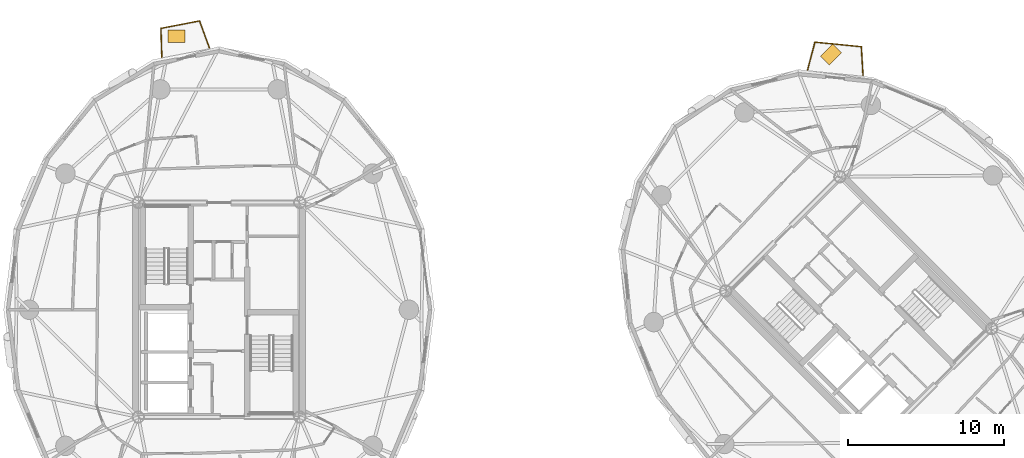
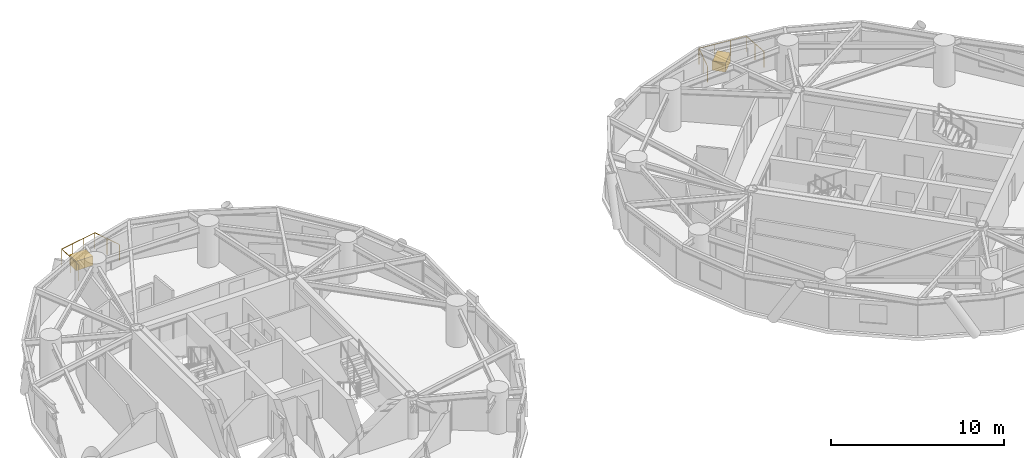
# One storey, part 16 of 16: 2 coverings, 2 railings.
"""IFC4 building model written with IfcOpenShell, lengths in metres."""

from ifc_helpers import new_model, si_unit, direction, frame, origin, origin_2d, place, context, subcontext, project, spatial, rectangle, circle, extrude, source, transform, mapped, material, layer, layer_set, type_object, element, save


model = new_model("IFC4")

# Units and contexts
model_context = context("Model", 3, precision=1e-05, world=origin(), true_north=direction((0.0, 1.0)))
body_context = subcontext(model_context, "Body", "Model", "MODEL_VIEW")
ifc_project = project(units=[si_unit("LENGTHUNIT", "METRE"), si_unit("AREAUNIT", "SQUARE_METRE"), si_unit("VOLUMEUNIT", "CUBIC_METRE"), si_unit("PLANEANGLEUNIT", "RADIAN"), si_unit("MASSUNIT", "GRAM", prefix="KILO")], contexts=[model_context])

# Site, building, storey
site_placement = place(None, origin())
site = spatial("IfcSite", under=ifc_project, at=site_placement, CompositionType="ELEMENT")
building_placement = place(site_placement, origin())
building = spatial("IfcBuilding", under=site, at=building_placement, Name="Cununo Teusaquillo Station Towers", CompositionType="ELEMENT")
storey_placement = place(building_placement, frame((0.0, 0.0, 180.699951171875)))
storey = spatial("IfcBuildingStorey", under=building, at=storey_placement, Name="L57", CompositionType="ELEMENT", Elevation=180.699951171875)

# Railings
ifc_material_1 = material(Name="Anodised dark bronze aluminium EN AW-6063-T6", Category="aluminium")
railing_type = type_object("IfcRailingType", Name="RL-EXT-GUARD", PredefinedType="GUARDRAIL", material=ifc_material_1)
railing_1_placement = place(storey_placement, frame((12.831298828125, 40.6875, 0.0)))
element("IfcRailing", 1, at=railing_1_placement, inside=storey, type_object=railing_type, Name="L57 Tower A Balcony Guardrail C05", PredefinedType="GUARDRAIL", context=body_context, shape_type="SweptSolid", body=[
    extrude(circle(Radius=0.02392578125, at=origin_2d()), frame((0.0, 0.0, 1.1259765625), z_axis=(-0.030460792522, 0.999535962394, 0.0), x_axis=(-0.999535962394, -0.030460792522, 0.0)), (0.0, 0.0, 1.0), 1.8515625),
    extrude(circle(Radius=0.02392578125, at=origin_2d()), frame((-0.056396484375, 1.8505859375, 1.1259765625), z_axis=(0.981842829823, 0.189696224332, 0.0), x_axis=(-0.189696224332, 0.981842829823, 0.0)), (0.0, 0.0, 1.0), 2.517333984375),
    extrude(circle(Radius=0.02392578125, at=origin_2d()), frame((2.415283203125, 2.328125, 1.1259765625), z_axis=(0.3440608985, -0.938947335117, 0.0), x_axis=(0.938947335117, 0.3440608985, 0.0)), (0.0, 0.0, 1.0), 1.851318359375),
    extrude(circle(Radius=0.02099609375, at=origin_2d()), origin(), (0.0, 0.0, 1.0), 1.101806640625),
    extrude(circle(Radius=0.02099609375, at=origin_2d()), frame((-0.0283203125, 0.92529296875, 0.0)), (0.0, 0.0, 1.0), 1.101806640625),
    extrude(circle(Radius=0.02099609375, at=origin_2d()), frame((-0.056396484375, 1.8505859375, 0.0)), (0.0, 0.0, 1.0), 1.101806640625),
    extrude(circle(Radius=0.02099609375, at=origin_2d()), frame((0.767578125, 2.009765625, 0.0)), (0.0, 0.0, 1.0), 1.101806640625),
    extrude(circle(Radius=0.02099609375, at=origin_2d()), frame((1.59130859375, 2.1689453125, 0.0)), (0.0, 0.0, 1.0), 1.101806640625),
    extrude(circle(Radius=0.02099609375, at=origin_2d()), frame((2.415283203125, 2.328125, 0.0)), (0.0, 0.0, 1.0), 1.101806640625),
    extrude(circle(Radius=0.02099609375, at=origin_2d()), frame((2.73388671875, 1.458984375, 0.0)), (0.0, 0.0, 1.0), 1.101806640625),
    extrude(circle(Radius=0.02099609375, at=origin_2d()), frame((3.05224609375, 0.58984375, 0.0)), (0.0, 0.0, 1.0), 1.101806640625),
])
railing_2_placement = place(storey_placement, frame((54.22314453125, 39.859619140625, 0.0)))
element("IfcRailing", 2, at=railing_2_placement, inside=storey, type_object=railing_type, Name="L57 Tower B Balcony Guardrail C02", PredefinedType="GUARDRAIL", context=body_context, shape_type="SweptSolid", body=[
    extrude(circle(Radius=0.02392578125, at=origin_2d()), frame((0.0, 0.0, 1.1259765625), z_axis=(0.256314588121, 0.966593416032, 0.0), x_axis=(-0.966593416032, 0.256314588121, 0.0)), (0.0, 0.0, 1.0), 1.8603515625),
    extrude(circle(Radius=0.02392578125, at=origin_2d()), frame((0.476806640625, 1.798095703125, 1.1259765625), z_axis=(0.995126715076, -0.098604365732, 0.0), x_axis=(0.098604365732, 0.995126715076, 0.0)), (0.0, 0.0, 1.0), 2.983642578125),
    extrude(circle(Radius=0.02392578125, at=origin_2d()), frame((3.44580078125, 1.50390625, 1.1259765625), z_axis=(0.061553016356, -0.998103815331, 0.0), x_axis=(0.998103815331, 0.061553016356, 0.0)), (0.0, 0.0, 1.0), 1.860107421875),
    extrude(circle(Radius=0.02099609375, at=origin_2d()), origin(), (0.0, 0.0, 1.0), 1.101806640625),
    extrude(circle(Radius=0.02099609375, at=origin_2d()), frame((0.23828125, 0.89892578125, 0.0)), (0.0, 0.0, 1.0), 1.101806640625),
    extrude(circle(Radius=0.02099609375, at=origin_2d()), frame((0.476806640625, 1.798095703125, 0.0)), (0.0, 0.0, 1.0), 1.101806640625),
    extrude(circle(Radius=0.02099609375, at=origin_2d()), frame((1.466552734375, 1.699951171875, 0.0)), (0.0, 0.0, 1.0), 1.101806640625),
    extrude(circle(Radius=0.02099609375, at=origin_2d()), frame((2.4560546875, 1.60205078125, 0.0)), (0.0, 0.0, 1.0), 1.101806640625),
    extrude(circle(Radius=0.02099609375, at=origin_2d()), frame((3.44580078125, 1.50390625, 0.0)), (0.0, 0.0, 1.0), 1.101806640625),
    extrude(circle(Radius=0.02099609375, at=origin_2d()), frame((3.5029296875, 0.57568359375, 0.0)), (0.0, 0.0, 1.0), 1.101806640625),
    extrude(circle(Radius=0.02099609375, at=origin_2d()), frame((3.560302734375, -0.352783203125, 0.0)), (0.0, 0.0, 1.0), 1.101806640625),
])

# Coverings
ifc_material_2 = material(Name="Architectural GRC planter shell and engineered root-zone substrate", Category="concrete")
ifc_layer = layer(ifc_material_2, 0.64990234375)
ifc_layer_set = layer_set([ifc_layer], Name="Architectural GRC planter shell and engineered root-zone substrate")
covering_type = type_object("IfcCoveringType", Name="COV-TREE-PLANTER", PredefinedType="CLADDING", material=ifc_layer_set)
shared_shape = source(origin(), body_context, "Body", "SweptSolid", [
    extrude(rectangle(XDim=1.10009765625, YDim=0.800048828125, at=origin_2d()), origin(), (0.0, 0.0, 1.0), 0.64990234375),
])
for number, where, z_axis, x_axis, name in (
    (3, (13.762939453125, 42.02978515625, 0.0), (0.0, 0.0, 1.0), (1.0, 0.0, 0.0), "L57 Tower A Balcony Tree PLANTER C05"),
    (4, (55.733154296875, 40.860595703125, 0.0), (0.0, 0.0, 1.0), (0.707106781187, 0.707106781187, 0.0), "L57 Tower B Balcony Tree PLANTER C02"),
):
    element("IfcCovering", number, at=place(storey_placement, frame(where, z_axis=z_axis, x_axis=x_axis)), inside=storey, type_object=covering_type, Name=name, PredefinedType="CLADDING", context=body_context, shape_type="MappedRepresentation", body=[
        mapped(shared_shape, transform((0.0, 0.0, 0.0), x_axis=(1.0, 0.0, 0.0), y_axis=(0.0, 1.0, 0.0), z_axis=(0.0, 0.0, 1.0), scale=1.0)),
    ])

save(model, "model.ifc")
